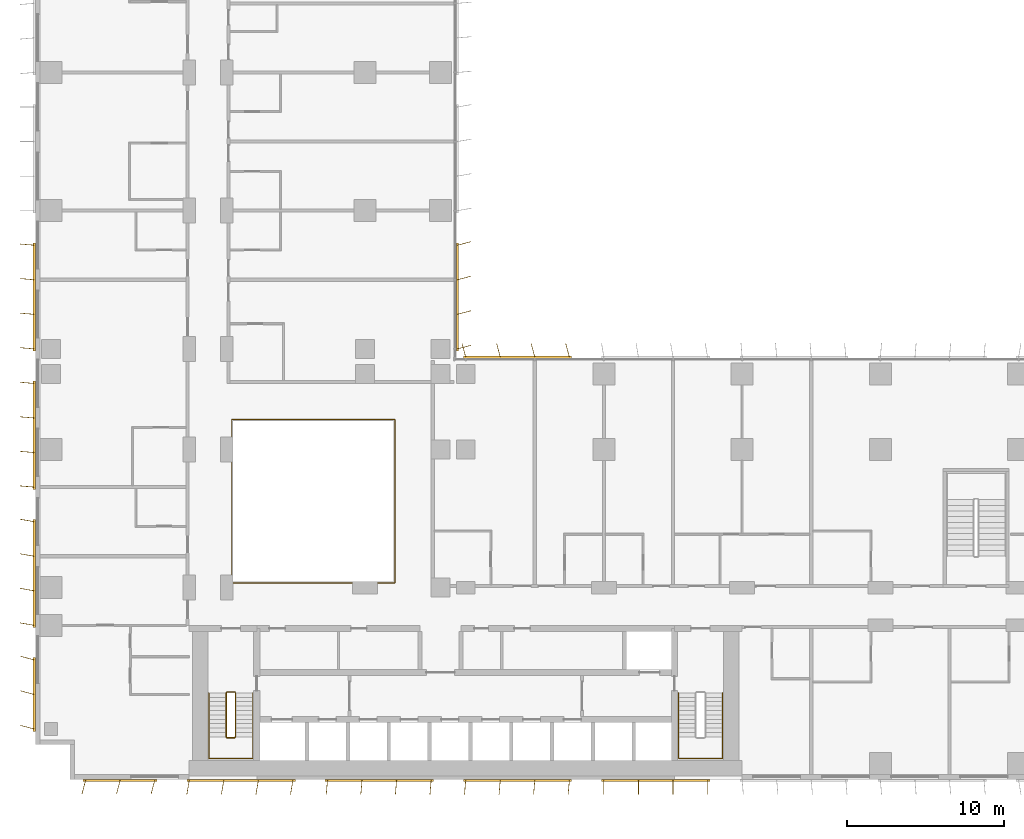
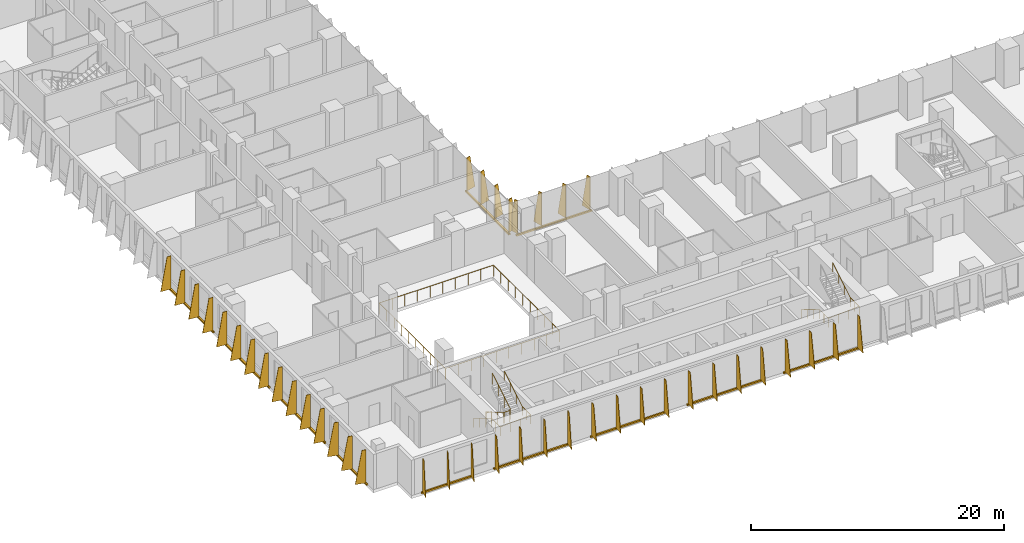
# One storey, part 21 of 24: 11 shading devices, 4 railings.
"""IFC4 building model written with IfcOpenShell, lengths in metres."""

from ifc_helpers import new_model, si_unit, direction, frame, origin, origin_2d, place, context, subcontext, project, spatial, polyline, rectangle, circle, outline, extrude, source, transform, mapped, material, layer, layer_set, type_object, element, save


model = new_model("IFC4")

# Units and contexts
model_context = context("Model", 3, precision=1e-05, world=origin(), true_north=direction((0.0, 1.0)))
body_context = subcontext(model_context, "Body", "Model", "MODEL_VIEW")
ifc_project = project(units=[si_unit("LENGTHUNIT", "METRE"), si_unit("AREAUNIT", "SQUARE_METRE"), si_unit("VOLUMEUNIT", "CUBIC_METRE"), si_unit("PLANEANGLEUNIT", "RADIAN"), si_unit("MASSUNIT", "GRAM", prefix="KILO")], contexts=[model_context])

# Site, building, storey
site_placement = place(None, origin())
site = spatial("IfcSite", under=ifc_project, at=site_placement, CompositionType="ELEMENT")
building_placement = place(site_placement, origin())
building = spatial("IfcBuilding", under=site, at=building_placement, Name="Kemantara Hotel Tower", CompositionType="ELEMENT")
storey_placement = place(building_placement, frame((0.0, 0.0, 59.89990234375)))
storey = spatial("IfcBuildingStorey", under=building, at=storey_placement, Name="L13", CompositionType="ELEMENT", Elevation=59.89990234375)

# Railings
ifc_material_1 = material(Name="Stainless steel and laminated glass balustrade", Category="steel")
railing_type_1 = type_object("IfcRailingType", Name="ATRIUM GUARD 1100", PredefinedType="GUARDRAIL", material=ifc_material_1)
railing_1_placement = place(storey_placement, frame((12.56005859375, 12.5, 0.0)))
element("IfcRailing", 1, at=railing_1_placement, inside=storey, type_object=railing_type_1, Name="ATRIUM GUARD L13", PredefinedType="GUARDRAIL", context=body_context, shape_type="SweptSolid", body=[
    extrude(circle(Radius=0.02490234375, at=origin_2d()), frame((0.0, 0.0, 1.0751953125), z_axis=(1.0, 0.0, 0.0), x_axis=(0.0, 1.0, 0.0)), (0.0, 0.0, 1.0), 10.33984375),
    extrude(circle(Radius=0.02490234375, at=origin_2d()), frame((10.33984375, 0.0, 1.0751953125), z_axis=(0.0, 1.0, 0.0), x_axis=(-1.0, 0.0, 0.0)), (0.0, 0.0, 1.0), 10.39990234375),
    extrude(circle(Radius=0.02490234375, at=origin_2d()), frame((10.33984375, 10.39990234375, 1.0751953125), z_axis=(-1.0, 0.0, 0.0), x_axis=(0.0, -1.0, 0.0)), (0.0, 0.0, 1.0), 10.39990234375),
    extrude(circle(Radius=0.02490234375, at=origin_2d()), frame((-0.06005859375, 10.39990234375, 1.0751953125), z_axis=(0.0, -1.0, 0.0), x_axis=(1.0, 0.0, 0.0)), (0.0, 0.0, 1.0), 10.39990234375),
    extrude(circle(Radius=0.02001953125, at=origin_2d()), origin(), (0.0, 0.0, 1.0), 1.050048828125),
    extrude(circle(Radius=0.02001953125, at=origin_2d()), frame((1.14892578125, 0.0, 0.0)), (0.0, 0.0, 1.0), 1.050048828125),
    extrude(circle(Radius=0.02001953125, at=origin_2d()), frame((2.2978515625, 0.0, 0.0)), (0.0, 0.0, 1.0), 1.050048828125),
    extrude(circle(Radius=0.02001953125, at=origin_2d()), frame((3.446533203125, 0.0, 0.0)), (0.0, 0.0, 1.0), 1.050048828125),
    extrude(circle(Radius=0.02001953125, at=origin_2d()), frame((4.595458984375, 0.0, 0.0)), (0.0, 0.0, 1.0), 1.050048828125),
    extrude(circle(Radius=0.02001953125, at=origin_2d()), frame((5.744384765625, 0.0, 0.0)), (0.0, 0.0, 1.0), 1.050048828125),
    extrude(circle(Radius=0.02001953125, at=origin_2d()), frame((6.893310546875, 0.0, 0.0)), (0.0, 0.0, 1.0), 1.050048828125),
    extrude(circle(Radius=0.02001953125, at=origin_2d()), frame((8.0419921875, 0.0, 0.0)), (0.0, 0.0, 1.0), 1.050048828125),
    extrude(circle(Radius=0.02001953125, at=origin_2d()), frame((9.19091796875, 0.0, 0.0)), (0.0, 0.0, 1.0), 1.050048828125),
    extrude(circle(Radius=0.02001953125, at=origin_2d()), frame((10.33984375, 0.0, 0.0)), (0.0, 0.0, 1.0), 1.050048828125),
    extrude(circle(Radius=0.02001953125, at=origin_2d()), frame((10.33984375, 1.155517578125, 0.0)), (0.0, 0.0, 1.0), 1.050048828125),
    extrude(circle(Radius=0.02001953125, at=origin_2d()), frame((10.33984375, 2.31103515625, 0.0)), (0.0, 0.0, 1.0), 1.050048828125),
    extrude(circle(Radius=0.02001953125, at=origin_2d()), frame((10.33984375, 3.466552734375, 0.0)), (0.0, 0.0, 1.0), 1.050048828125),
    extrude(circle(Radius=0.02001953125, at=origin_2d()), frame((10.33984375, 4.6220703125, 0.0)), (0.0, 0.0, 1.0), 1.050048828125),
    extrude(circle(Radius=0.02001953125, at=origin_2d()), frame((10.33984375, 5.77783203125, 0.0)), (0.0, 0.0, 1.0), 1.050048828125),
    extrude(circle(Radius=0.02001953125, at=origin_2d()), frame((10.33984375, 6.933349609375, 0.0)), (0.0, 0.0, 1.0), 1.050048828125),
    extrude(circle(Radius=0.02001953125, at=origin_2d()), frame((10.33984375, 8.0888671875, 0.0)), (0.0, 0.0, 1.0), 1.050048828125),
    extrude(circle(Radius=0.02001953125, at=origin_2d()), frame((10.33984375, 9.244384765625, 0.0)), (0.0, 0.0, 1.0), 1.050048828125),
    extrude(circle(Radius=0.02001953125, at=origin_2d()), frame((10.33984375, 10.39990234375, 0.0)), (0.0, 0.0, 1.0), 1.050048828125),
    extrude(circle(Radius=0.02001953125, at=origin_2d()), frame((9.184326171875, 10.39990234375, 0.0)), (0.0, 0.0, 1.0), 1.050048828125),
    extrude(circle(Radius=0.02001953125, at=origin_2d()), frame((8.02880859375, 10.39990234375, 0.0)), (0.0, 0.0, 1.0), 1.050048828125),
    extrude(circle(Radius=0.02001953125, at=origin_2d()), frame((6.873291015625, 10.39990234375, 0.0)), (0.0, 0.0, 1.0), 1.050048828125),
    extrude(circle(Radius=0.02001953125, at=origin_2d()), frame((5.7177734375, 10.39990234375, 0.0)), (0.0, 0.0, 1.0), 1.050048828125),
    extrude(circle(Radius=0.02001953125, at=origin_2d()), frame((4.56201171875, 10.39990234375, 0.0)), (0.0, 0.0, 1.0), 1.050048828125),
    extrude(circle(Radius=0.02001953125, at=origin_2d()), frame((3.406494140625, 10.39990234375, 0.0)), (0.0, 0.0, 1.0), 1.050048828125),
    extrude(circle(Radius=0.02001953125, at=origin_2d()), frame((2.2509765625, 10.39990234375, 0.0)), (0.0, 0.0, 1.0), 1.050048828125),
    extrude(circle(Radius=0.02001953125, at=origin_2d()), frame((1.095458984375, 10.39990234375, 0.0)), (0.0, 0.0, 1.0), 1.050048828125),
    extrude(circle(Radius=0.02001953125, at=origin_2d()), frame((-0.06005859375, 10.39990234375, 0.0)), (0.0, 0.0, 1.0), 1.050048828125),
    extrude(circle(Radius=0.02001953125, at=origin_2d()), frame((-0.06005859375, 9.244384765625, 0.0)), (0.0, 0.0, 1.0), 1.050048828125),
    extrude(circle(Radius=0.02001953125, at=origin_2d()), frame((-0.06005859375, 8.0888671875, 0.0)), (0.0, 0.0, 1.0), 1.050048828125),
    extrude(circle(Radius=0.02001953125, at=origin_2d()), frame((-0.06005859375, 6.933349609375, 0.0)), (0.0, 0.0, 1.0), 1.050048828125),
    extrude(circle(Radius=0.02001953125, at=origin_2d()), frame((-0.06005859375, 5.77783203125, 0.0)), (0.0, 0.0, 1.0), 1.050048828125),
    extrude(circle(Radius=0.02001953125, at=origin_2d()), frame((-0.06005859375, 4.6220703125, 0.0)), (0.0, 0.0, 1.0), 1.050048828125),
    extrude(circle(Radius=0.02001953125, at=origin_2d()), frame((-0.06005859375, 3.466552734375, 0.0)), (0.0, 0.0, 1.0), 1.050048828125),
    extrude(circle(Radius=0.02001953125, at=origin_2d()), frame((-0.06005859375, 2.31103515625, 0.0)), (0.0, 0.0, 1.0), 1.050048828125),
    extrude(circle(Radius=0.02001953125, at=origin_2d()), frame((-0.06005859375, 1.155517578125, 0.0)), (0.0, 0.0, 1.0), 1.050048828125),
    extrude(circle(Radius=0.02001953125, at=origin_2d()), frame((-0.06005859375, 0.0, 0.0)), (0.0, 0.0, 1.0), 1.050048828125),
])
ifc_material_2 = material(Name="Stainless steel balustrade", Category="steel")
railing_type_2 = type_object("IfcRailingType", Name="Stair guard 1100 mm", PredefinedType="GUARDRAIL", material=ifc_material_2)
railing_2_placement = place(storey_placement, frame((12.75, 5.5, 3.7001953125)))
element("IfcRailing", 2, at=railing_2_placement, inside=storey, type_object=railing_type_2, Name="L13 ST1 stair guard 1", PredefinedType="GUARDRAIL", context=body_context, shape_type="SweptSolid", body=[
    extrude(circle(Radius=0.02392578125, at=origin_2d()), frame((0.0, 0.0, 1.076171875), z_axis=(0.0, -0.857242210791, -0.514913383045), x_axis=(1.0, 0.0, 0.0)), (0.0, 0.0, 1.0), 3.266357421875),
    extrude(circle(Radius=0.02392578125, at=origin_2d()), frame((0.0, -2.800048828125, -0.60595703125), z_axis=(-0.274243871929, -0.274243871929, -0.92172696468), x_axis=(0.707106781187, -0.707106781187, 0.0)), (0.0, 0.0, 1.0), 0.1826171875),
    extrude(circle(Radius=0.02392578125, at=origin_2d()), frame((-0.050048828125, -2.85009765625, -0.77392578125), z_axis=(-1.0, 0.0, 0.0), x_axis=(0.0, -1.0, 0.0)), (0.0, 0.0, 1.0), 0.5),
    extrude(circle(Radius=0.02392578125, at=origin_2d()), frame((-0.550048828125, -2.85009765625, -0.77392578125), z_axis=(-0.707106781187, 0.707106781187, 0.0), x_axis=(-0.707106781187, -0.707106781187, 0.0)), (0.0, 0.0, 1.0), 0.07080078125),
    extrude(circle(Radius=0.02392578125, at=origin_2d()), frame((-0.60009765625, -2.800048828125, -0.77392578125), z_axis=(0.0, 0.857242210791, -0.514913383045), x_axis=(-1.0, 0.0, 0.0)), (0.0, 0.0, 1.0), 3.266357421875),
    extrude(circle(Radius=0.02392578125, at=origin_2d()), frame((-0.60009765625, 0.0, -2.4560546875), z_axis=(0.274243871929, 0.274243871929, -0.92172696468), x_axis=(-0.707106781187, 0.707106781187, 0.0)), (0.0, 0.0, 1.0), 0.1826171875),
    extrude(circle(Radius=0.02392578125, at=origin_2d()), frame((-0.550048828125, 0.050048828125, -2.6240234375), z_axis=(1.0, 0.0, 0.0), x_axis=(0.0, 1.0, 0.0)), (0.0, 0.0, 1.0), 0.5),
    extrude(circle(Radius=0.02099609375, at=origin_2d()), origin(), (0.0, 0.0, 1.0), 1.052001953125),
    extrude(circle(Radius=0.02099609375, at=origin_2d()), frame((0.0, -0.933349609375, -0.560546875)), (0.0, 0.0, 1.0), 1.052001953125),
    extrude(circle(Radius=0.02099609375, at=origin_2d()), frame((0.0, -1.86669921875, -1.121337890625)), (0.0, 0.0, 1.0), 1.052001953125),
    extrude(circle(Radius=0.02099609375, at=origin_2d()), frame((0.0, -2.800048828125, -1.681884765625)), (0.0, 0.0, 1.0), 1.052001953125),
    extrude(circle(Radius=0.02099609375, at=origin_2d()), frame((-0.050048828125, -2.85009765625, -1.85009765625)), (0.0, 0.0, 1.0), 1.052001953125),
    extrude(circle(Radius=0.02099609375, at=origin_2d()), frame((-0.550048828125, -2.85009765625, -1.85009765625)), (0.0, 0.0, 1.0), 1.052001953125),
    extrude(circle(Radius=0.02099609375, at=origin_2d()), frame((-0.60009765625, -2.800048828125, -1.85009765625)), (0.0, 0.0, 1.0), 1.052001953125),
    extrude(circle(Radius=0.02099609375, at=origin_2d()), frame((-0.60009765625, -1.86669921875, -2.41064453125)), (0.0, 0.0, 1.0), 1.052001953125),
    extrude(circle(Radius=0.02099609375, at=origin_2d()), frame((-0.60009765625, -0.933349609375, -2.971435546875)), (0.0, 0.0, 1.0), 1.052001953125),
    extrude(circle(Radius=0.02099609375, at=origin_2d()), frame((-0.60009765625, 0.0, -3.531982421875)), (0.0, 0.0, 1.0), 1.052001953125),
    extrude(circle(Radius=0.02099609375, at=origin_2d()), frame((-0.550048828125, 0.050048828125, -3.7001953125)), (0.0, 0.0, 1.0), 1.052001953125),
    extrude(circle(Radius=0.02099609375, at=origin_2d()), frame((-0.050048828125, 0.050048828125, -3.7001953125)), (0.0, 0.0, 1.0), 1.052001953125),
])
railing_type_3 = type_object("IfcRailingType", Name="Stair handrail 900 mm", PredefinedType="HANDRAIL", material=ifc_material_2)
railing_3_placement = place(storey_placement, frame((11.050048828125, 5.5, 0.168212890625)))
element("IfcRailing", 3, at=railing_3_placement, inside=storey, type_object=railing_type_3, Name="L13 ST1 stair handrail 1", PredefinedType="HANDRAIL", context=body_context, shape_type="SweptSolid", body=[
    extrude(circle(Radius=0.02392578125, at=origin_2d()), frame((0.0, 0.0, 0.8759765625), z_axis=(0.0, -0.857242210791, 0.514913383045), x_axis=(1.0, 0.0, 0.0)), (0.0, 0.0, 1.0), 3.266357421875),
    extrude(circle(Radius=0.02392578125, at=origin_2d()), frame((0.0, -2.800048828125, 2.5576171875), z_axis=(0.0, -1.0, 0.0), x_axis=(1.0, 0.0, 0.0)), (0.0, 0.0, 1.0), 1.3798828125),
    extrude(circle(Radius=0.02392578125, at=origin_2d()), frame((0.0, -4.179931640625, 2.5576171875), z_axis=(0.998200367801, 0.0, 0.059966871865), x_axis=(0.0, 1.0, 0.0)), (0.0, 0.0, 1.0), 2.80517578125),
    extrude(circle(Radius=0.02392578125, at=origin_2d()), frame((2.800048828125, -4.179931640625, 2.72607421875), z_axis=(0.0, 1.0, 0.0), x_axis=(-1.0, 0.0, 0.0)), (0.0, 0.0, 1.0), 1.3798828125),
    extrude(circle(Radius=0.02392578125, at=origin_2d()), frame((2.800048828125, -2.800048828125, 2.72607421875), z_axis=(0.0, 0.857242210791, 0.514913383045), x_axis=(-1.0, 0.0, 0.0)), (0.0, 0.0, 1.0), 3.266357421875),
    extrude(circle(Radius=0.02099609375, at=origin_2d()), origin(), (0.0, 0.0, 1.0), 0.851806640625),
    extrude(circle(Radius=0.02099609375, at=origin_2d()), frame((0.0, -0.933349609375, 0.560546875)), (0.0, 0.0, 1.0), 0.851806640625),
    extrude(circle(Radius=0.02099609375, at=origin_2d()), frame((0.0, -1.86669921875, 1.121337890625)), (0.0, 0.0, 1.0), 0.851806640625),
    extrude(circle(Radius=0.02099609375, at=origin_2d()), frame((0.0, -2.800048828125, 1.681884765625)), (0.0, 0.0, 1.0), 0.851806640625),
    extrude(circle(Radius=0.02099609375, at=origin_2d()), frame((0.0, -3.489990234375, 1.681884765625)), (0.0, 0.0, 1.0), 0.851806640625),
    extrude(circle(Radius=0.02099609375, at=origin_2d()), frame((0.0, -4.179931640625, 1.681884765625)), (0.0, 0.0, 1.0), 0.851806640625),
    extrude(circle(Radius=0.02099609375, at=origin_2d()), frame((0.933349609375, -4.179931640625, 1.738037109375)), (0.0, 0.0, 1.0), 0.851806640625),
    extrude(circle(Radius=0.02099609375, at=origin_2d()), frame((1.86669921875, -4.179931640625, 1.7939453125)), (0.0, 0.0, 1.0), 0.851806640625),
    extrude(circle(Radius=0.02099609375, at=origin_2d()), frame((2.800048828125, -4.179931640625, 1.85009765625)), (0.0, 0.0, 1.0), 0.851806640625),
    extrude(circle(Radius=0.02099609375, at=origin_2d()), frame((2.800048828125, -3.489990234375, 1.85009765625)), (0.0, 0.0, 1.0), 0.851806640625),
    extrude(circle(Radius=0.02099609375, at=origin_2d()), frame((2.800048828125, -2.800048828125, 1.85009765625)), (0.0, 0.0, 1.0), 0.851806640625),
    extrude(circle(Radius=0.02099609375, at=origin_2d()), frame((2.800048828125, -1.86669921875, 2.41064453125)), (0.0, 0.0, 1.0), 0.851806640625),
    extrude(circle(Radius=0.02099609375, at=origin_2d()), frame((2.800048828125, -0.933349609375, 2.971435546875)), (0.0, 0.0, 1.0), 0.851806640625),
    extrude(circle(Radius=0.02099609375, at=origin_2d()), frame((2.800048828125, 0.0, 3.531982421875)), (0.0, 0.0, 1.0), 0.851806640625),
])
railing_4_placement = place(storey_placement, frame((40.949951171875, 5.5, 0.168212890625)))
element("IfcRailing", 4, at=railing_4_placement, inside=storey, type_object=railing_type_3, Name="L13 ST2 stair handrail 1", PredefinedType="HANDRAIL", context=body_context, shape_type="SweptSolid", body=[
    extrude(circle(Radius=0.02392578125, at=origin_2d()), frame((0.0, 0.0, 0.8759765625), z_axis=(0.0, -0.857242210791, 0.514913383045), x_axis=(1.0, 0.0, 0.0)), (0.0, 0.0, 1.0), 3.266357421875),
    extrude(circle(Radius=0.02392578125, at=origin_2d()), frame((0.0, -2.800048828125, 2.5576171875), z_axis=(0.0, -1.0, 0.0), x_axis=(1.0, 0.0, 0.0)), (0.0, 0.0, 1.0), 1.3798828125),
    extrude(circle(Radius=0.02392578125, at=origin_2d()), frame((0.0, -4.179931640625, 2.5576171875), z_axis=(0.998200367801, 0.0, 0.059966871865), x_axis=(0.0, 1.0, 0.0)), (0.0, 0.0, 1.0), 2.80517578125),
    extrude(circle(Radius=0.02392578125, at=origin_2d()), frame((2.800048828125, -4.179931640625, 2.72607421875), z_axis=(0.0, 1.0, 0.0), x_axis=(-1.0, 0.0, 0.0)), (0.0, 0.0, 1.0), 1.3798828125),
    extrude(circle(Radius=0.02392578125, at=origin_2d()), frame((2.800048828125, -2.800048828125, 2.72607421875), z_axis=(0.0, 0.857242210791, 0.514913383045), x_axis=(-1.0, 0.0, 0.0)), (0.0, 0.0, 1.0), 3.266357421875),
    extrude(circle(Radius=0.02099609375, at=origin_2d()), origin(), (0.0, 0.0, 1.0), 0.851806640625),
    extrude(circle(Radius=0.02099609375, at=origin_2d()), frame((0.0, -0.933349609375, 0.560546875)), (0.0, 0.0, 1.0), 0.851806640625),
    extrude(circle(Radius=0.02099609375, at=origin_2d()), frame((0.0, -1.86669921875, 1.121337890625)), (0.0, 0.0, 1.0), 0.851806640625),
    extrude(circle(Radius=0.02099609375, at=origin_2d()), frame((0.0, -2.800048828125, 1.681884765625)), (0.0, 0.0, 1.0), 0.851806640625),
    extrude(circle(Radius=0.02099609375, at=origin_2d()), frame((0.0, -3.489990234375, 1.681884765625)), (0.0, 0.0, 1.0), 0.851806640625),
    extrude(circle(Radius=0.02099609375, at=origin_2d()), frame((0.0, -4.179931640625, 1.681884765625)), (0.0, 0.0, 1.0), 0.851806640625),
    extrude(circle(Radius=0.02099609375, at=origin_2d()), frame((0.933349609375, -4.179931640625, 1.738037109375)), (0.0, 0.0, 1.0), 0.851806640625),
    extrude(circle(Radius=0.02099609375, at=origin_2d()), frame((1.86669921875, -4.179931640625, 1.7939453125)), (0.0, 0.0, 1.0), 0.851806640625),
    extrude(circle(Radius=0.02099609375, at=origin_2d()), frame((2.800048828125, -4.179931640625, 1.85009765625)), (0.0, 0.0, 1.0), 0.851806640625),
    extrude(circle(Radius=0.02099609375, at=origin_2d()), frame((2.800048828125, -3.489990234375, 1.85009765625)), (0.0, 0.0, 1.0), 0.851806640625),
    extrude(circle(Radius=0.02099609375, at=origin_2d()), frame((2.800048828125, -2.800048828125, 1.85009765625)), (0.0, 0.0, 1.0), 0.851806640625),
    extrude(circle(Radius=0.02099609375, at=origin_2d()), frame((2.800048828125, -1.86669921875, 2.41064453125)), (0.0, 0.0, 1.0), 0.851806640625),
    extrude(circle(Radius=0.02099609375, at=origin_2d()), frame((2.800048828125, -0.933349609375, 2.971435546875)), (0.0, 0.0, 1.0), 0.851806640625),
    extrude(circle(Radius=0.02099609375, at=origin_2d()), frame((2.800048828125, 0.0, 3.531982421875)), (0.0, 0.0, 1.0), 0.851806640625),
])

# Shading devices
ifc_material_3 = material(Name="Perforated aluminium plate 4 mm bronze anodised", Category="aluminium")
ifc_layer_1 = layer(ifc_material_3, 0.0400390625)
ifc_layer_set_1 = layer_set([ifc_layer_1], Name="Perforated aluminium plate 4 mm bronze anodised")
shading_device_type_1 = type_object("IfcShadingDeviceType", Name="SCREEN FIN CASSETTE, 3 BLADES AT -15.0 DEG, 3200 HIGH", PredefinedType="USERDEFINED", material=ifc_layer_set_1)
shared_shape_1 = source(origin(), body_context, "Body", "SweptSolid", [
    extrude(rectangle(XDim=4.699951171875, YDim=0.14990234375, at=origin_2d()), frame((2.199951171875, -0.074951171875, -0.14990234375), z_axis=(0.0, 0.0, 1.0), x_axis=(1.0, 0.0, 0.0)), (0.0, 0.0, 1.0), 0.14990234375),
    extrude(outline(polyline([(0.0, 0.0), (0.89990234375, 0.0), (0.35009765625, 3.199951171875), (0.0, 3.199951171875), (0.0, 0.0)])), frame((0.019287109375, -0.080078125, 0.0), z_axis=(-0.966437683387, 0.256901156343, 0.0), x_axis=(-0.256901156343, -0.966437683387, 0.0)), (0.0, 0.0, 1.0), 0.039794921875),
    extrude(outline(polyline([(0.0, 0.0), (0.89990234375, 0.0), (0.35009765625, 3.199951171875), (0.0, 3.199951171875), (0.0, 0.0)])), frame((2.21923828125, -0.080078125, 0.0), z_axis=(-0.966437683387, 0.256901156343, 0.0), x_axis=(-0.256901156343, -0.966437683387, 0.0)), (0.0, 0.0, 1.0), 0.039794921875),
    extrude(outline(polyline([(0.0, 0.0), (0.89990234375, 0.0), (0.35009765625, 3.199951171875), (0.0, 3.199951171875), (0.0, 0.0)])), frame((4.41943359375, -0.080078125, 0.0), z_axis=(-0.966837822169, 0.255391122837, 0.0), x_axis=(-0.255391122837, -0.966837822169, 0.0)), (0.0, 0.0, 1.0), 0.0400390625),
])
for number, where, z_axis, x_axis, name in (
    (5, (3.199951171875, 0.0, 0.10009765625), (0.0, 0.0, 1.0), (1.0, 0.0, 0.0), "SCREEN FIN CASSETTE L13 T1-R01-1"),
    (6, (0.0, 7.60009765625, 0.10009765625), (0.0, 0.0, 1.0), (0.0, -1.0, 0.0), "SCREEN FIN CASSETTE L13 T1-R14-9"),
):
    element("IfcShadingDevice", number, at=place(storey_placement, frame(where, z_axis=z_axis, x_axis=x_axis)), inside=storey, type_object=shading_device_type_1, Name=name, ObjectType="SCREEN FIN", PredefinedType="USERDEFINED", context=body_context, shape_type="MappedRepresentation", body=[
        mapped(shared_shape_1, transform((0.0, 0.0, 0.0))),
    ])
ifc_layer_2 = layer(ifc_material_3, 0.0400390625)
ifc_layer_set_2 = layer_set([ifc_layer_2], Name="Perforated aluminium plate 4 mm bronze anodised")
shading_device_type_2 = type_object("IfcShadingDeviceType", Name="SCREEN FIN CASSETTE, 4 BLADES AT -10.0 DEG, 3200 HIGH", PredefinedType="USERDEFINED", material=ifc_layer_set_2)
shared_shape_2 = source(origin(), body_context, "Body", "SweptSolid", [
    extrude(rectangle(XDim=6.89990234375, YDim=0.14990234375, at=origin_2d()), frame((3.300048828125, -0.074951171875, -0.14990234375), z_axis=(0.0, 0.0, 1.0), x_axis=(1.0, 0.0, 0.0)), (0.0, 0.0, 1.0), 0.14990234375),
    extrude(outline(polyline([(0.0, 0.0), (0.89990234375, 0.0), (0.35009765625, 3.199951171875), (0.0, 3.199951171875), (0.0, 0.0)])), frame((0.019775390625, -0.078369140625, 0.0), z_axis=(-0.985389793052, 0.170314285219, 0.0), x_axis=(-0.170314285219, -0.985389793052, 0.0)), (0.0, 0.0, 1.0), 0.0400390625),
    extrude(outline(polyline([(0.0, 0.0), (0.89990234375, 0.0), (0.35009765625, 3.199951171875), (0.0, 3.199951171875), (0.0, 0.0)])), frame((2.2197265625, -0.078369140625, 0.0), z_axis=(-0.98521175482, 0.171341174751, 0.0), x_axis=(-0.171341174751, -0.98521175482, 0.0)), (0.0, 0.0, 1.0), 0.039794921875),
    extrude(outline(polyline([(0.0, 0.0), (0.89990234375, 0.0), (0.35009765625, 3.199951171875), (0.0, 3.199951171875), (0.0, 0.0)])), frame((4.419677734375, -0.078369140625, 0.0), z_axis=(-0.98521175482, 0.171341174751, 0.0), x_axis=(-0.171341174751, -0.98521175482, 0.0)), (0.0, 0.0, 1.0), 0.039794921875),
    extrude(outline(polyline([(0.0, 0.0), (0.89990234375, 0.0), (0.35009765625, 3.199951171875), (0.0, 3.199951171875), (0.0, 0.0)])), frame((6.61962890625, -0.078369140625, 0.0), z_axis=(-0.98521175482, 0.171341174751, 0.0), x_axis=(-0.171341174751, -0.98521175482, 0.0)), (0.0, 0.0, 1.0), 0.039794921875),
])
for number, where, z_axis, x_axis, name in (
    (7, (9.800048828125, 0.0, 0.10009765625), (0.0, 0.0, 1.0), (1.0, 0.0, 0.0), "SCREEN FIN CASSETTE L13 T1-R01-2"),
    (8, (0.0, 16.39990234375, 0.10009765625), (0.0, 0.0, 1.0), (0.0, -1.0, 0.0), "SCREEN FIN CASSETTE L13 T1-R14-8"),
):
    element("IfcShadingDevice", number, at=place(storey_placement, frame(where, z_axis=z_axis, x_axis=x_axis)), inside=storey, type_object=shading_device_type_2, Name=name, ObjectType="SCREEN FIN", PredefinedType="USERDEFINED", context=body_context, shape_type="MappedRepresentation", body=[
        mapped(shared_shape_2, transform((0.0, 0.0, 0.0))),
    ])
ifc_layer_3 = layer(ifc_material_3, 0.0400390625)
ifc_layer_set_3 = layer_set([ifc_layer_3], Name="Perforated aluminium plate 4 mm bronze anodised")
shading_device_type_3 = type_object("IfcShadingDeviceType", Name="SCREEN FIN CASSETTE, 4 BLADES AT -5.0 DEG, 3200 HIGH", PredefinedType="USERDEFINED", material=ifc_layer_set_3)
shared_shape_3 = source(origin(), body_context, "Body", "SweptSolid", [
    extrude(rectangle(XDim=6.89990234375, YDim=0.14990234375, at=origin_2d()), frame((3.300048828125, -0.074951171875, -0.14990234375), z_axis=(0.0, 0.0, 1.0), x_axis=(1.0, 0.0, 0.0)), (0.0, 0.0, 1.0), 0.14990234375),
    extrude(outline(polyline([(0.0, 0.0), (0.89990234375, 0.0), (0.35009765625, 3.199951171875), (0.0, 3.199951171875), (0.0, 0.0)])), frame((0.02001953125, -0.07666015625, 0.0), z_axis=(-0.996376129781, 0.085056498884, 0.0), x_axis=(-0.085056498884, -0.996376129781, 0.0)), (0.0, 0.0, 1.0), 0.040283203125),
    extrude(outline(polyline([(0.0, 0.0), (0.89990234375, 0.0), (0.35009765625, 3.199951171875), (0.0, 3.199951171875), (0.0, 0.0)])), frame((2.219970703125, -0.07666015625, 0.0), z_axis=(-0.996331773833, 0.085574508182, 0.0), x_axis=(-0.085574508182, -0.996331773833, 0.0)), (0.0, 0.0, 1.0), 0.0400390625),
    extrude(outline(polyline([(0.0, 0.0), (0.89990234375, 0.0), (0.35009765625, 3.199951171875), (0.0, 3.199951171875), (0.0, 0.0)])), frame((4.419921875, -0.07666015625, 0.0), z_axis=(-0.996331773833, 0.085574508182, 0.0), x_axis=(-0.085574508182, -0.996331773833, 0.0)), (0.0, 0.0, 1.0), 0.0400390625),
    extrude(outline(polyline([(0.0, 0.0), (0.89990234375, 0.0), (0.35009765625, 3.199951171875), (0.0, 3.199951171875), (0.0, 0.0)])), frame((6.619873046875, -0.07666015625, 0.0), z_axis=(-0.996331773833, 0.085574508182, 0.0), x_axis=(-0.085574508182, -0.996331773833, 0.0)), (0.0, 0.0, 1.0), 0.0400390625),
])
for number, where, z_axis, x_axis, name in (
    (9, (18.60009765625, 0.0, 0.10009765625), (0.0, 0.0, 1.0), (1.0, 0.0, 0.0), "SCREEN FIN CASSETTE L13 T1-R01-3"),
    (10, (27.39990234375, 0.0, 0.10009765625), (0.0, 0.0, 1.0), (1.0, 0.0, 0.0), "SCREEN FIN CASSETTE L13 T1-R01-4"),
    (11, (0.0, 34.0, 0.10009765625), (0.0, 0.0, 1.0), (0.0, -1.0, 0.0), "SCREEN FIN CASSETTE L13 T1-R14-6"),
    (12, (0.0, 25.199951171875, 0.10009765625), (0.0, 0.0, 1.0), (0.0, -1.0, 0.0), "SCREEN FIN CASSETTE L13 T1-R14-7"),
):
    element("IfcShadingDevice", number, at=place(storey_placement, frame(where, z_axis=z_axis, x_axis=x_axis)), inside=storey, type_object=shading_device_type_3, Name=name, ObjectType="SCREEN FIN", PredefinedType="USERDEFINED", context=body_context, shape_type="MappedRepresentation", body=[
        mapped(shared_shape_3, transform((0.0, 0.0, 0.0))),
    ])
ifc_layer_4 = layer(ifc_material_3, 0.0400390625)
ifc_layer_set_4 = layer_set([ifc_layer_4], Name="Perforated aluminium plate 4 mm bronze anodised")
shading_device_type_4 = type_object("IfcShadingDeviceType", Name="SCREEN FIN CASSETTE, 4 BLADES AT +0.0 DEG, 3200 HIGH", PredefinedType="USERDEFINED", material=ifc_layer_set_4)
shared_shape_4 = source(origin(), body_context, "Body", "SweptSolid", [
    extrude(rectangle(XDim=6.89990234375, YDim=0.14990234375, at=origin_2d()), frame((3.300048828125, -0.074951171875, -0.14990234375), z_axis=(0.0, 0.0, 1.0), x_axis=(1.0, 0.0, 0.0)), (0.0, 0.0, 1.0), 0.14990234375),
    extrude(outline(polyline([(0.0, 0.0), (0.89990234375, 0.0), (0.35009765625, 3.199951171875), (0.0, 3.199951171875), (0.0, 0.0)])), frame((0.02001953125, -0.074951171875, 0.0), z_axis=(-1.0, 0.0, 0.0), x_axis=(0.0, -1.0, 0.0)), (0.0, 0.0, 1.0), 0.0400390625),
    extrude(outline(polyline([(0.0, 0.0), (0.89990234375, 0.0), (0.35009765625, 3.199951171875), (0.0, 3.199951171875), (0.0, 0.0)])), frame((2.219970703125, -0.074951171875, 0.0), z_axis=(-1.0, 0.0, 0.0), x_axis=(0.0, -1.0, 0.0)), (0.0, 0.0, 1.0), 0.0400390625),
    extrude(outline(polyline([(0.0, 0.0), (0.89990234375, 0.0), (0.35009765625, 3.199951171875), (0.0, 3.199951171875), (0.0, 0.0)])), frame((4.419921875, -0.074951171875, 0.0), z_axis=(-1.0, 0.0, 0.0), x_axis=(0.0, -1.0, 0.0)), (0.0, 0.0, 1.0), 0.0400390625),
    extrude(outline(polyline([(0.0, 0.0), (0.89990234375, 0.0), (0.35009765625, 3.199951171875), (0.0, 3.199951171875), (0.0, 0.0)])), frame((6.6201171875, -0.074951171875, 0.0), z_axis=(-1.0, 0.0, 0.0), x_axis=(0.0, -1.0, 0.0)), (0.0, 0.0, 1.0), 0.0400390625),
])
shading_device_placement = place(storey_placement, frame((36.199951171875, 0.0, 0.10009765625), z_axis=(0.0, 0.0, 1.0), x_axis=(1.0, 0.0, 0.0)))
element("IfcShadingDevice", 13, at=shading_device_placement, inside=storey, type_object=shading_device_type_4, Name="SCREEN FIN CASSETTE L13 T1-R01-5", ObjectType="SCREEN FIN", PredefinedType="USERDEFINED", context=body_context, shape_type="MappedRepresentation", body=[
    mapped(shared_shape_4, transform((0.0, 0.0, 0.0))),
])
ifc_layer_5 = layer(ifc_material_3, 0.0400390625)
ifc_layer_set_5 = layer_set([ifc_layer_5], Name="Perforated aluminium plate 4 mm bronze anodised")
shading_device_type_5 = type_object("IfcShadingDeviceType", Name="SCREEN FIN CASSETTE, 4 BLADES AT +15.0 DEG, 3200 HIGH", PredefinedType="USERDEFINED", material=ifc_layer_set_5)
shared_shape_5 = source(origin(), body_context, "Body", "SweptSolid", [
    extrude(rectangle(XDim=6.89990234375, YDim=0.14990234375, at=origin_2d()), frame((3.300048828125, -0.074951171875, -0.14990234375), z_axis=(0.0, 0.0, 1.0), x_axis=(1.0, 0.0, 0.0)), (0.0, 0.0, 1.0), 0.14990234375),
    extrude(outline(polyline([(0.0, 0.0), (0.89990234375, 0.0), (0.35009765625, 3.199951171875), (0.0, 3.199951171875), (0.0, 0.0)])), frame((0.019287109375, -0.06982421875, 0.0), z_axis=(-0.966437683387, -0.256901156343, 0.0), x_axis=(0.256901156343, -0.966437683387, 0.0)), (0.0, 0.0, 1.0), 0.039794921875),
    extrude(outline(polyline([(0.0, 0.0), (0.89990234375, 0.0), (0.35009765625, 3.199951171875), (0.0, 3.199951171875), (0.0, 0.0)])), frame((2.21923828125, -0.06982421875, 0.0), z_axis=(-0.966437683387, -0.256901156343, 0.0), x_axis=(0.256901156343, -0.966437683387, 0.0)), (0.0, 0.0, 1.0), 0.039794921875),
    extrude(outline(polyline([(0.0, 0.0), (0.89990234375, 0.0), (0.35009765625, 3.199951171875), (0.0, 3.199951171875), (0.0, 0.0)])), frame((4.41943359375, -0.06982421875, 0.0), z_axis=(-0.966837822169, -0.255391122837, 0.0), x_axis=(0.255391122837, -0.966837822169, 0.0)), (0.0, 0.0, 1.0), 0.0400390625),
    extrude(outline(polyline([(0.0, 0.0), (0.89990234375, 0.0), (0.35009765625, 3.199951171875), (0.0, 3.199951171875), (0.0, 0.0)])), frame((6.619384765625, -0.06982421875, 0.0), z_axis=(-0.966837822169, -0.255391122837, 0.0), x_axis=(0.255391122837, -0.966837822169, 0.0)), (0.0, 0.0, 1.0), 0.0400390625),
])
for number, where, z_axis, x_axis, name in (
    (14, (34.0, 26.800048828125, 0.10009765625), (0.0, 0.0, 1.0), (-1.0, 0.0, 0.0), "SCREEN FIN CASSETTE L13 T1-R07-6"),
    (15, (26.800048828125, 27.39990234375, 0.10009765625), (0.0, 0.0, 1.0), (0.0, 1.0, 0.0), "SCREEN FIN CASSETTE L13 T1-R08-1"),
):
    element("IfcShadingDevice", number, at=place(storey_placement, frame(where, z_axis=z_axis, x_axis=x_axis)), inside=storey, type_object=shading_device_type_5, Name=name, ObjectType="SCREEN FIN", PredefinedType="USERDEFINED", context=body_context, shape_type="MappedRepresentation", body=[
        mapped(shared_shape_5, transform((0.0, 0.0, 0.0))),
    ])

save(model, "model.ifc")
